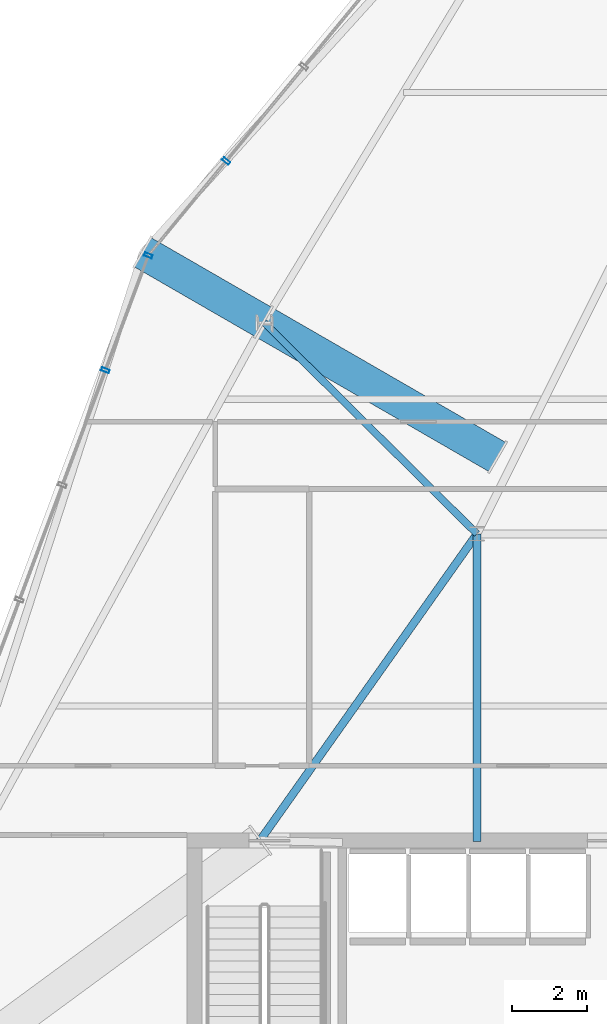
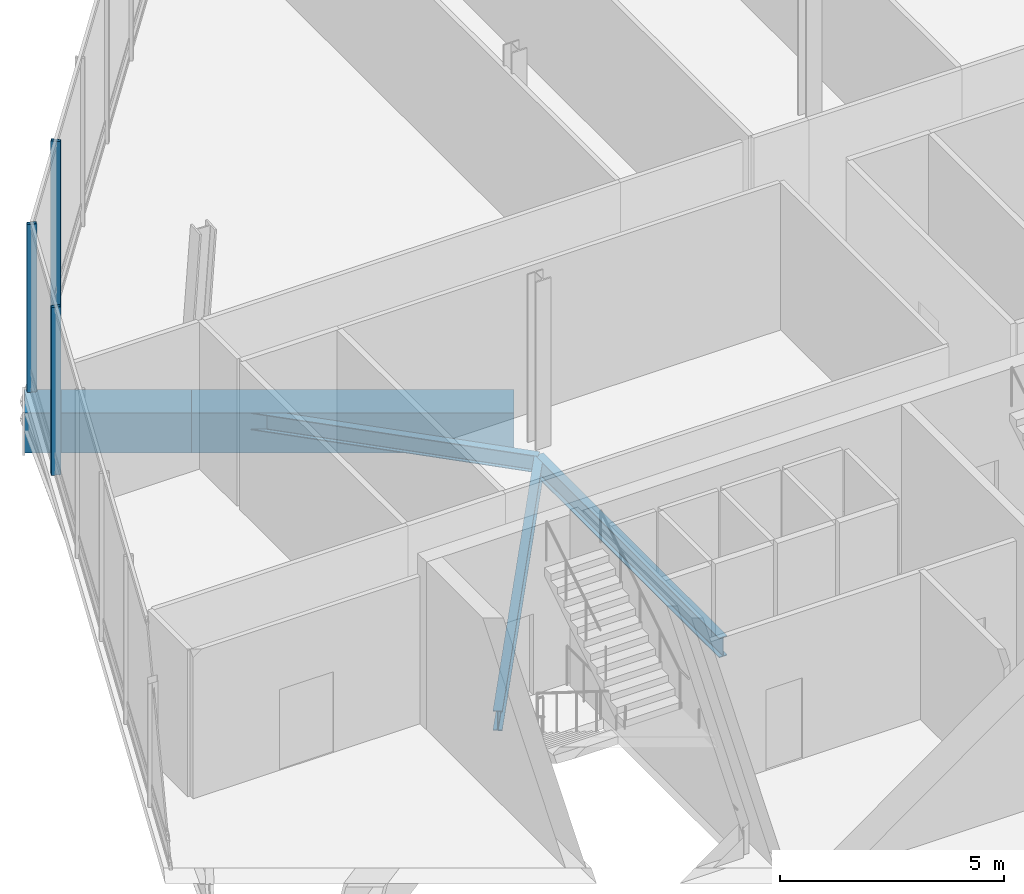
# One storey, part 7 of 28: 5 beams, 3 members, 2 elements without a shape of their own.
"""IFC4 building model written with IfcOpenShell, lengths in metres."""

from ifc_helpers import new_model, si_unit, direction, frame, origin, origin_2d, place, context, subcontext, project, spatial, hollow_rectangle, i_section, extrude, material, layer, layer_set, material_profile, profile_set, type_object, element, aggregate, save


model = new_model("IFC4")

# Units and contexts
model_context = context("Model", 3, precision=1e-05, world=origin(), true_north=direction((0.0, 1.0)))
body_context = subcontext(model_context, "Body", "Model", "MODEL_VIEW")
ifc_project = project(units=[si_unit("LENGTHUNIT", "METRE"), si_unit("AREAUNIT", "SQUARE_METRE"), si_unit("VOLUMEUNIT", "CUBIC_METRE"), si_unit("PLANEANGLEUNIT", "RADIAN"), si_unit("MASSUNIT", "GRAM", prefix="KILO")], contexts=[model_context])

# Site, building, storey
site_placement = place(None, origin())
site = spatial("IfcSite", under=ifc_project, at=site_placement, CompositionType="ELEMENT")
building_placement = place(site_placement, origin())
building = spatial("IfcBuilding", under=site, at=building_placement, Name="Ndaravel Arena Tower", CompositionType="ELEMENT")
storey_placement = place(building_placement, frame((0.0, 0.0, 213.199951171875)))
storey = spatial("IfcBuildingStorey", under=building, at=storey_placement, Name="L51", CompositionType="ELEMENT", Elevation=213.199951171875)

# Beams
ifc_material_1 = material(Name="Steel S355", Category="steel")
ifc_material_profile_1 = material_profile(ifc_material_1, i_section(OverallWidth=0.19140625, OverallDepth=0.4599609375, WebThickness=0.010009765625, FlangeThickness=0.01611328125, FilletRadius=0.01025390625, at=origin_2d()), Name="UB 457x191x82")
ifc_profile_set_1 = profile_set([ifc_material_profile_1], Name="Steel S355")
beam_type_1 = type_object("IfcBeamType", Name="BM-GIRD-UB457", PredefinedType="BEAM", material=ifc_profile_set_1)
beam_1_placement = place(storey_placement, frame((28.502197265625, 28.858642578125, -0.510009765625), z_axis=(0.709534802511, -0.70467039389, 0.0), x_axis=(0.70467039389, 0.709534802511, 0.0)))
element("IfcBeam", 1, at=beam_1_placement, inside=storey, type_object=beam_type_1, Name="L51 Radial Floor Girder FG-19", PredefinedType="BEAM", context=body_context, shape_type="SweptSolid", body=[
    extrude(i_section(OverallWidth=0.19140625, OverallDepth=0.4599609375, WebThickness=0.010009765625, FlangeThickness=0.01611328125, FilletRadius=0.01025390625, at=origin_2d()), origin(), (0.0, 0.0, 1.0), 8.0302734375),
])
ifc_material_2 = material(Name="Steel S355", Category="steel")
ifc_material_profile_2 = material_profile(ifc_material_2, i_section(OverallWidth=0.210693359375, OverallDepth=0.53955078125, WebThickness=0.01171875, FlangeThickness=0.018798828125, FilletRadius=0.0126953125, at=origin_2d()), Name="UB 533x210x109")
ifc_profile_set_2 = profile_set([ifc_material_profile_2], Name="Steel S355")
beam_type_2 = type_object("IfcBeamType", Name="BM-GIRD-UB533", PredefinedType="BEAM", material=ifc_profile_set_2)
beam_2_placement = place(storey_placement, frame((34.199951171875, 14.97998046875, -0.5498046875), z_axis=(0.0, 1.0, 0.0), x_axis=(-1.0, 0.0, 0.0)))
element("IfcBeam", 2, at=beam_2_placement, inside=storey, type_object=beam_type_2, Name="L51 Spine Link Girder SLG-01", PredefinedType="BEAM", context=body_context, shape_type="SweptSolid", body=[
    extrude(i_section(OverallWidth=0.210693359375, OverallDepth=0.53955078125, WebThickness=0.01171875, FlangeThickness=0.018798828125, FilletRadius=0.0126953125, at=origin_2d()), origin(), (0.0, 0.0, 1.0), 8.219970703125),
])
beam_3_placement = place(storey_placement, frame((28.396484375, 15.0, -0.5498046875), z_axis=(0.57769700771, 0.8162512893, 0.0), x_axis=(-0.8162512893, 0.57769700771, 0.0)))
element("IfcBeam", 3, at=beam_3_placement, inside=storey, type_object=beam_type_2, Name="L51 Star Backspan Anchor Tie SAT2-1", PredefinedType="BEAM", context=body_context, shape_type="SweptSolid", body=[
    extrude(i_section(OverallWidth=0.210693359375, OverallDepth=0.53955078125, WebThickness=0.01171875, FlangeThickness=0.018798828125, FilletRadius=0.0126953125, at=origin_2d()), origin(), (0.0, 0.0, 1.0), 10.0458984375),
])
ifc_material_3 = material(Name="Steel S460", Category="steel")
ifc_material_profile_3 = material_profile(ifc_material_3, hollow_rectangle(XDim=0.89990234375, YDim=1.10009765625, WallThickness=0.06494140625, at=origin_2d()), Name="BOX 1100x900x65")
ifc_profile_set_3 = profile_set([ifc_material_profile_3], Name="Steel S460")
beam_type_3 = type_object("IfcBeamType", Name="BM-STAR-BOX1100", PredefinedType="BEAM", material=ifc_profile_set_3)
beam_4_placement = place(storey_placement, frame((34.737548828125, 25.258544921875, -0.829833984375), z_axis=(-0.866018442252, 0.500012057535, 0.0), x_axis=(-0.500012057535, -0.866018442252, 0.0)))
element("IfcBeam", 4, at=beam_4_placement, inside=storey, type_object=beam_type_3, Name="L51 Star Cantilever Backspan Girder SBG-6", PredefinedType="BEAM", context=body_context, shape_type="SweptSolid", body=[
    extrude(hollow_rectangle(XDim=0.89990234375, YDim=1.10009765625, WallThickness=0.06494140625, at=origin_2d()), origin(), (0.0, 0.0, 1.0), 7.199951171875),
])
beam_5_placement = place(storey_placement, frame((28.502197265625, 28.858642578125, -0.829833984375), z_axis=(-0.86600681122, 0.500032201883, 0.0), x_axis=(-0.500032201883, -0.86600681122, 0.0)))
element("IfcBeam", 5, at=beam_5_placement, inside=storey, type_object=beam_type_3, Name="L51 Star Cantilever Tip Girder SCG-6", PredefinedType="BEAM", context=body_context, shape_type="SweptSolid", body=[
    extrude(hollow_rectangle(XDim=0.89990234375, YDim=1.10009765625, WallThickness=0.06494140625, at=origin_2d()), origin(), (0.0, 0.0, 1.0), 3.729736328125),
])

# Curtain wall, member
ifc_material_4 = material(Name="Aluminium", Category="aluminium")
ifc_layer = layer(ifc_material_4, 0.179931640625)
ifc_layer_set = layer_set([ifc_layer], Name="Aluminium")
curtain_wall_type = type_object("IfcCurtainWallType", Name="CW-SYS-04", PredefinedType="NOTDEFINED", material=ifc_layer_set)
curtain_wall_1_placement = place(storey_placement, origin())
curtain_wall_1 = element("IfcCurtainWall", 6, at=curtain_wall_1_placement, inside=storey, type_object=curtain_wall_type, Name="L51 Faceted Crystal Curtain Wall CW-L51-E10", PredefinedType="NOTDEFINED")
ifc_material_5 = material(Name="Aluminium", Category="aluminium")
ifc_material_profile_4 = material_profile(ifc_material_5, hollow_rectangle(XDim=0.090087890625, YDim=0.219970703125, WallThickness=0.0048828125, at=origin_2d()), Name="CW MULLION 90x220x5")
ifc_profile_set_4 = profile_set([ifc_material_profile_4], Name="Aluminium")
member_type = type_object("IfcMemberType", Name="MEM-CW-MUL220", PredefinedType="MULLION", material=ifc_profile_set_4)
member_1_placement = place(storey_placement, frame((27.493408203125, 33.167236328125, 0.0), z_axis=(0.0, 0.0, 1.0), x_axis=(-0.636024349169, -0.771668988144, 0.0)))
member_1 = element("IfcMember", 7, at=member_1_placement, type_object=member_type, Name="CW-L51-E10 Mullion 05", PredefinedType="MULLION", context=body_context, shape_type="SweptSolid", body=[
    extrude(hollow_rectangle(XDim=0.090087890625, YDim=0.219970703125, WallThickness=0.0048828125, at=origin_2d()), origin(), (0.0, 0.0, 1.0), 4.580078125),
])
aggregate(curtain_wall_1, [member_1])

# Curtain wall, members
curtain_wall_2_placement = place(storey_placement, origin())
curtain_wall_2 = element("IfcCurtainWall", 8, at=curtain_wall_2_placement, inside=storey, type_object=curtain_wall_type, Name="L51 Faceted Crystal Curtain Wall CW-L51-E11", PredefinedType="NOTDEFINED")
member_2_placement = place(storey_placement, frame((25.41259765625, 30.642578125, 0.0), z_axis=(0.0, 0.0, 1.0), x_axis=(-0.350272772461, -0.936647737878, 0.0)))
member_2 = element("IfcMember", 9, at=member_2_placement, type_object=member_type, Name="CW-L51-E11 Mullion 00", PredefinedType="MULLION", context=body_context, shape_type="SweptSolid", body=[
    extrude(hollow_rectangle(XDim=0.090087890625, YDim=0.219970703125, WallThickness=0.0048828125, at=origin_2d()), origin(), (0.0, 0.0, 1.0), 4.580078125),
])
member_3_placement = place(storey_placement, frame((24.2646484375, 27.5732421875, 0.0), z_axis=(0.0, 0.0, 1.0), x_axis=(-0.350272772461, -0.936647737878, 0.0)))
member_3 = element("IfcMember", 10, at=member_3_placement, type_object=member_type, Name="CW-L51-E11 Mullion 01", PredefinedType="MULLION", context=body_context, shape_type="SweptSolid", body=[
    extrude(hollow_rectangle(XDim=0.090087890625, YDim=0.219970703125, WallThickness=0.0048828125, at=origin_2d()), origin(), (0.0, 0.0, 1.0), 4.580078125),
])
aggregate(curtain_wall_2, [member_2, member_3])

save(model, "model.ifc")
